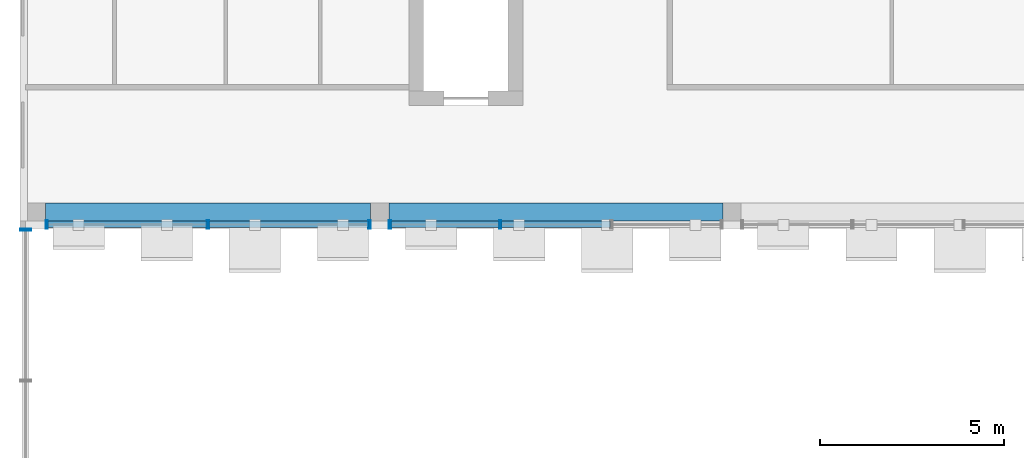
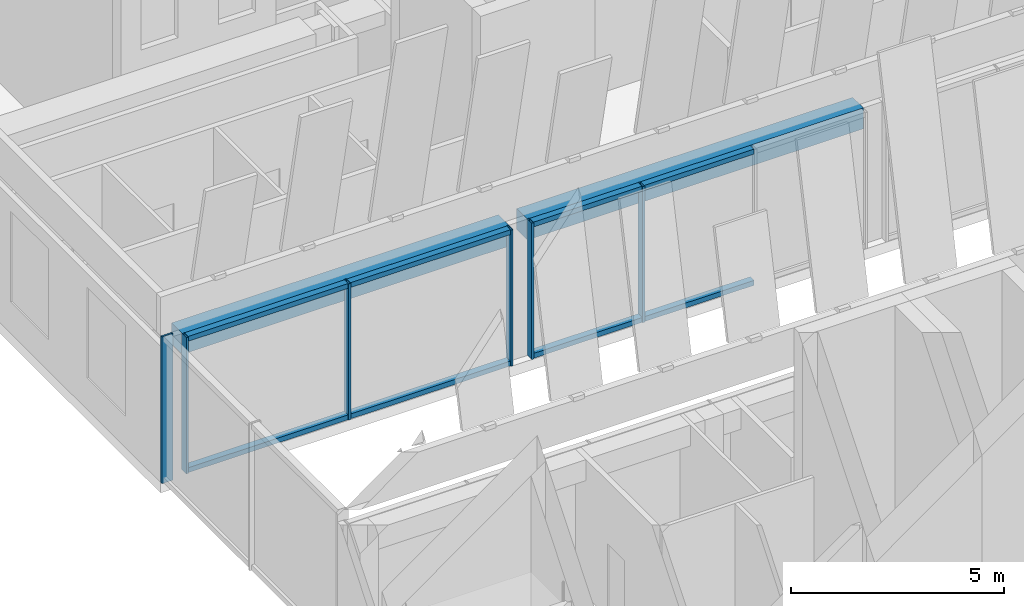
# One storey, part 7 of 26: 14 members, 2 beams, 3 elements without a shape of their own.
"""IFC4 building model written with IfcOpenShell, lengths in metres."""

from ifc_helpers import new_model, si_unit, direction, frame, origin, origin_2d, place, context, subcontext, project, spatial, rectangle, hollow_rectangle, extrude, material, layer, layer_set, material_profile, profile_set, type_object, element, aggregate, save


model = new_model("IFC4")

# Units and contexts
model_context = context("Model", 3, precision=1e-05, world=origin(), true_north=direction((0.0, 1.0)))
body_context = subcontext(model_context, "Body", "Model", "MODEL_VIEW")
ifc_project = project(units=[si_unit("LENGTHUNIT", "METRE"), si_unit("AREAUNIT", "SQUARE_METRE"), si_unit("VOLUMEUNIT", "CUBIC_METRE"), si_unit("PLANEANGLEUNIT", "RADIAN"), si_unit("MASSUNIT", "GRAM", prefix="KILO")], contexts=[model_context])

# Site, building, storey
site_placement = place(None, origin())
site = spatial("IfcSite", under=ifc_project, at=site_placement, CompositionType="ELEMENT")
building_placement = place(site_placement, origin())
building = spatial("IfcBuilding", under=site, at=building_placement, Name="Nzadi Deep Aquarium and Research Tower", CompositionType="ELEMENT")
storey_placement = place(building_placement, frame((0.0, 0.0, 78.10009765625)))
storey = spatial("IfcBuildingStorey", under=building, at=storey_placement, Name="L16", CompositionType="ELEMENT", Elevation=78.10009765625)

# Curtain wall, members
ifc_material_1 = material(Name="Aluminium unitised frame deep", Category="aluminium")
ifc_layer_1 = layer(ifc_material_1, 0.22509765625)
ifc_layer_set_1 = layer_set([ifc_layer_1], Name="Aluminium unitised frame deep")
curtain_wall_type_1 = type_object("IfcCurtainWallType", Name="Curtain wall Unitised Deep 225", PredefinedType="NOTDEFINED", material=ifc_layer_set_1)
curtain_wall_1_placement = place(storey_placement, origin())
curtain_wall_1 = element("IfcCurtainWall", 1, at=curtain_wall_1_placement, inside=storey, type_object=curtain_wall_type_1, Name="Unitised curtain wall blade B south L16", PredefinedType="NOTDEFINED")
ifc_material_2 = material(Name="Aluminium unitised frame deep", Category="aluminium")
ifc_material_profile_1 = material_profile(ifc_material_2, hollow_rectangle(XDim=0.22509765625, YDim=0.06005859375, WallThickness=0.0048828125, at=origin_2d()))
ifc_profile_set_1 = profile_set([ifc_material_profile_1], Name="Aluminium unitised frame deep")
member_type_1 = type_object("IfcMemberType", Name="Mullion 60x225 Unitised Deep", PredefinedType="MULLION", material=ifc_profile_set_1)
member_1_placement = place(storey_placement, frame((0.530029296875, 27.262451171875, 0.0), z_axis=(0.0, 0.0, 1.0), x_axis=(0.0, 1.0, 0.0)))
member_1 = element("IfcMember", 2, at=member_1_placement, type_object=member_type_1, Name="CW192 mullion 1", PredefinedType="MULLION", context=body_context, shape_type="SweptSolid", body=[
    extrude(hollow_rectangle(XDim=0.22509765625, YDim=0.06005859375, WallThickness=0.0048828125, at=origin_2d()), origin(), (0.0, 0.0, 1.0), 3.89990234375),
])
member_2_placement = place(storey_placement, frame((4.925048828125, 27.262451171875, 0.0), z_axis=(0.0, 0.0, 1.0), x_axis=(0.0, 1.0, 0.0)))
member_2 = element("IfcMember", 3, at=member_2_placement, type_object=member_type_1, Name="CW192 mullion 2", PredefinedType="MULLION", context=body_context, shape_type="SweptSolid", body=[
    extrude(hollow_rectangle(XDim=0.22509765625, YDim=0.06005859375, WallThickness=0.0048828125, at=origin_2d()), origin(), (0.0, 0.0, 1.0), 3.89990234375),
])
member_3_placement = place(storey_placement, frame((9.320068359375, 27.262451171875, 0.0), z_axis=(0.0, 0.0, 1.0), x_axis=(0.0, 1.0, 0.0)))
member_3 = element("IfcMember", 4, at=member_3_placement, type_object=member_type_1, Name="CW192 mullion 3", PredefinedType="MULLION", context=body_context, shape_type="SweptSolid", body=[
    extrude(hollow_rectangle(XDim=0.22509765625, YDim=0.06005859375, WallThickness=0.0048828125, at=origin_2d()), origin(), (0.0, 0.0, 1.0), 3.89990234375),
])

curtain_wall_2_placement = place(storey_placement, origin())
curtain_wall_2 = element("IfcCurtainWall", 5, at=curtain_wall_2_placement, inside=storey, type_object=curtain_wall_type_1, Name="Unitised curtain wall blade B south L16", PredefinedType="NOTDEFINED")
member_4_placement = place(storey_placement, frame((9.8798828125, 27.262451171875, 0.0), z_axis=(0.0, 0.0, 1.0), x_axis=(0.0, 1.0, 0.0)))
member_4 = element("IfcMember", 6, at=member_4_placement, type_object=member_type_1, Name="CW193 mullion 1", PredefinedType="MULLION", context=body_context, shape_type="SweptSolid", body=[
    extrude(hollow_rectangle(XDim=0.22509765625, YDim=0.06005859375, WallThickness=0.0048828125, at=origin_2d()), origin(), (0.0, 0.0, 1.0), 3.89990234375),
])
member_5_placement = place(storey_placement, frame((12.88330078125, 27.262451171875, 0.0), z_axis=(0.0, 0.0, 1.0), x_axis=(0.0, 1.0, 0.0)))
member_5 = element("IfcMember", 7, at=member_5_placement, type_object=member_type_1, Name="CW193 mullion 2", PredefinedType="MULLION", context=body_context, shape_type="SweptSolid", body=[
    extrude(hollow_rectangle(XDim=0.22509765625, YDim=0.06005859375, WallThickness=0.0048828125, at=origin_2d()), origin(), (0.0, 0.0, 1.0), 3.89990234375),
])

# Curtain wall, member
ifc_material_3 = material(Name="Aluminium unitised frame wind post", Category="aluminium")
ifc_layer_2 = layer(ifc_material_3, 0.300048828125)
ifc_layer_set_2 = layer_set([ifc_layer_2], Name="Aluminium unitised frame wind post")
curtain_wall_type_2 = type_object("IfcCurtainWallType", Name="Curtain wall Slot End 300", PredefinedType="NOTDEFINED", material=ifc_layer_set_2)
curtain_wall_3_placement = place(storey_placement, origin())
curtain_wall_3 = element("IfcCurtainWall", 8, at=curtain_wall_3_placement, inside=storey, type_object=curtain_wall_type_2, Name="Glazed slot end west L16", PredefinedType="NOTDEFINED")
ifc_material_4 = material(Name="Aluminium unitised frame wind post", Category="aluminium")
ifc_material_profile_2 = material_profile(ifc_material_4, hollow_rectangle(XDim=0.300048828125, YDim=0.06005859375, WallThickness=0.0048828125, at=origin_2d()))
ifc_profile_set_2 = profile_set([ifc_material_profile_2], Name="Aluminium unitised frame wind post")
member_type_2 = type_object("IfcMemberType", Name="Mullion 60x300 Slot End", PredefinedType="MULLION", material=ifc_profile_set_2)
member_6_placement = place(storey_placement, frame((-0.049560546875, 27.1201171875, 0.0), z_axis=(0.0, 0.0, 1.0), x_axis=(-1.0, 0.0, 0.0)))
member_6 = element("IfcMember", 9, at=member_6_placement, type_object=member_type_2, Name="CW223 mullion 3", PredefinedType="MULLION", context=body_context, shape_type="SweptSolid", body=[
    extrude(hollow_rectangle(XDim=0.300048828125, YDim=0.06005859375, WallThickness=0.0048828125, at=origin_2d()), origin(), (0.0, 0.0, 1.0), 4.199951171875),
])
aggregate(curtain_wall_3, [member_6])

# Beams
ifc_material_5 = material(Name="Concrete C35/45", Category="concrete")
ifc_material_profile_3 = material_profile(ifc_material_5, rectangle(XDim=0.5, YDim=0.60009765625, at=origin_2d()))
ifc_profile_set_3 = profile_set([ifc_material_profile_3], Name="Concrete C35/45")
beam_type = type_object("IfcBeamType", Name="RC 500x600", PredefinedType="BEAM", material=ifc_profile_set_3)
beam_1_placement = place(storey_placement, frame((0.5, 27.60009765625, 3.599853515625), z_axis=(1.0, 0.0, 0.0), x_axis=(0.0, 1.0, 0.0)))
element("IfcBeam", 10, at=beam_1_placement, inside=storey, type_object=beam_type, Name="B-Z1-L16-L4-1", PredefinedType="BEAM", context=body_context, shape_type="SweptSolid", body=[
    extrude(rectangle(XDim=0.5, YDim=0.60009765625, at=origin_2d()), origin(), (0.0, 0.0, 1.0), 8.85009765625),
])
beam_2_placement = place(storey_placement, frame((9.85009765625, 27.60009765625, 3.599853515625), z_axis=(1.0, 0.0, 0.0), x_axis=(0.0, 1.0, 0.0)))
element("IfcBeam", 11, at=beam_2_placement, inside=storey, type_object=beam_type, Name="B-Z1-L16-L4-2", PredefinedType="BEAM", context=body_context, shape_type="SweptSolid", body=[
    extrude(rectangle(XDim=0.5, YDim=0.60009765625, at=origin_2d()), origin(), (0.0, 0.0, 1.0), 9.099853515625),
])

# Member
ifc_material_6 = material(Name="Aluminium unitised frame deep", Category="aluminium")
ifc_material_profile_4 = material_profile(ifc_material_6, hollow_rectangle(XDim=0.179931640625, YDim=0.139892578125, WallThickness=0.0048828125, at=origin_2d()))
ifc_profile_set_4 = profile_set([ifc_material_profile_4], Name="Aluminium unitised frame deep")
member_type_3 = type_object("IfcMemberType", Name="Transom 140x180 Unitised Deep", PredefinedType="MULLION", material=ifc_profile_set_4)
member_7_placement = place(storey_placement, frame((0.56005859375, 27.262451171875, 0.06982421875), z_axis=(1.0, 0.0, 0.0), x_axis=(0.0, 1.0, 0.0)))
member_7 = element("IfcMember", 12, at=member_7_placement, type_object=member_type_3, Name="CW192 transom 1.1", PredefinedType="MULLION", context=body_context, shape_type="SweptSolid", body=[
    extrude(hollow_rectangle(XDim=0.179931640625, YDim=0.139892578125, WallThickness=0.0048828125, at=origin_2d()), origin(), (0.0, 0.0, 1.0), 4.3349609375),
])

member_8_placement = place(storey_placement, frame((0.56005859375, 27.262451171875, 3.829833984375), z_axis=(1.0, 0.0, 0.0), x_axis=(0.0, 1.0, 0.0)))
member_8 = element("IfcMember", 13, at=member_8_placement, type_object=member_type_3, Name="CW192 transom 1.2", PredefinedType="MULLION", context=body_context, shape_type="SweptSolid", body=[
    extrude(hollow_rectangle(XDim=0.179931640625, YDim=0.139892578125, WallThickness=0.0048828125, at=origin_2d()), origin(), (0.0, 0.0, 1.0), 4.3349609375),
])

member_9_placement = place(storey_placement, frame((4.955078125, 27.262451171875, 0.06982421875), z_axis=(1.0, 0.0, 0.0), x_axis=(0.0, 1.0, 0.0)))
member_9 = element("IfcMember", 14, at=member_9_placement, type_object=member_type_3, Name="CW192 transom 2.1", PredefinedType="MULLION", context=body_context, shape_type="SweptSolid", body=[
    extrude(hollow_rectangle(XDim=0.179931640625, YDim=0.139892578125, WallThickness=0.0048828125, at=origin_2d()), origin(), (0.0, 0.0, 1.0), 4.3349609375),
])

member_10_placement = place(storey_placement, frame((4.955078125, 27.262451171875, 3.829833984375), z_axis=(1.0, 0.0, 0.0), x_axis=(0.0, 1.0, 0.0)))
member_10 = element("IfcMember", 15, at=member_10_placement, type_object=member_type_3, Name="CW192 transom 2.2", PredefinedType="MULLION", context=body_context, shape_type="SweptSolid", body=[
    extrude(hollow_rectangle(XDim=0.179931640625, YDim=0.139892578125, WallThickness=0.0048828125, at=origin_2d()), origin(), (0.0, 0.0, 1.0), 4.3349609375),
])

aggregate(curtain_wall_1, [member_1, member_2, member_3, member_7, member_8, member_9, member_10])

member_11_placement = place(storey_placement, frame((9.909912109375, 27.262451171875, 0.06982421875), z_axis=(1.0, 0.0, 0.0), x_axis=(0.0, 1.0, 0.0)))
member_11 = element("IfcMember", 16, at=member_11_placement, type_object=member_type_3, Name="CW193 transom 1.1", PredefinedType="MULLION", context=body_context, shape_type="SweptSolid", body=[
    extrude(hollow_rectangle(XDim=0.179931640625, YDim=0.139892578125, WallThickness=0.0048828125, at=origin_2d()), origin(), (0.0, 0.0, 1.0), 2.943359375),
])

member_12_placement = place(storey_placement, frame((9.909912109375, 27.262451171875, 3.829833984375), z_axis=(1.0, 0.0, 0.0), x_axis=(0.0, 1.0, 0.0)))
member_12 = element("IfcMember", 17, at=member_12_placement, type_object=member_type_3, Name="CW193 transom 1.2", PredefinedType="MULLION", context=body_context, shape_type="SweptSolid", body=[
    extrude(hollow_rectangle(XDim=0.179931640625, YDim=0.139892578125, WallThickness=0.0048828125, at=origin_2d()), origin(), (0.0, 0.0, 1.0), 2.943359375),
])

member_13_placement = place(storey_placement, frame((12.913330078125, 27.262451171875, 0.06982421875), z_axis=(1.0, 0.0, 0.0), x_axis=(0.0, 1.0, 0.0)))
member_13 = element("IfcMember", 18, at=member_13_placement, type_object=member_type_3, Name="CW193 transom 2.1", PredefinedType="MULLION", context=body_context, shape_type="SweptSolid", body=[
    extrude(hollow_rectangle(XDim=0.179931640625, YDim=0.139892578125, WallThickness=0.0048828125, at=origin_2d()), origin(), (0.0, 0.0, 1.0), 2.973388671875),
])

member_14_placement = place(storey_placement, frame((12.913330078125, 27.262451171875, 3.829833984375), z_axis=(1.0, 0.0, 0.0), x_axis=(0.0, 1.0, 0.0)))
member_14 = element("IfcMember", 19, at=member_14_placement, type_object=member_type_3, Name="CW193 transom 2.2", PredefinedType="MULLION", context=body_context, shape_type="SweptSolid", body=[
    extrude(hollow_rectangle(XDim=0.179931640625, YDim=0.139892578125, WallThickness=0.0048828125, at=origin_2d()), origin(), (0.0, 0.0, 1.0), 2.973388671875),
])

aggregate(curtain_wall_2, [member_4, member_5, member_11, member_12, member_13, member_14])

save(model, "model.ifc")
